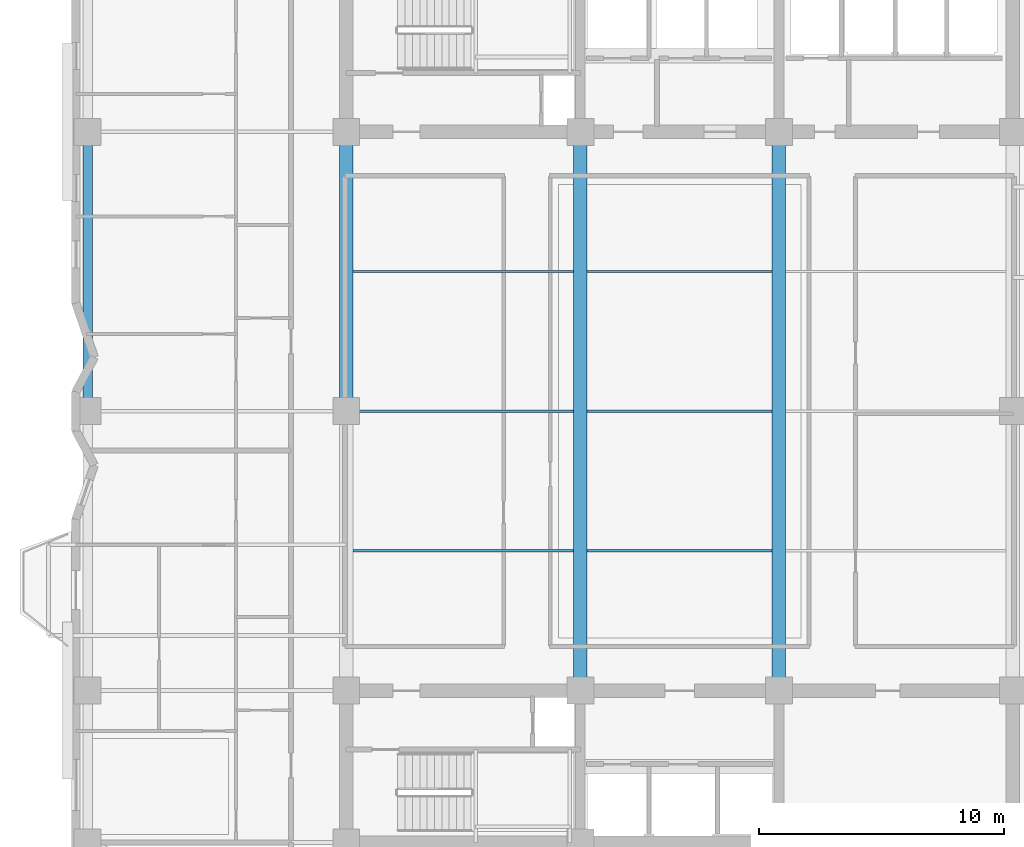
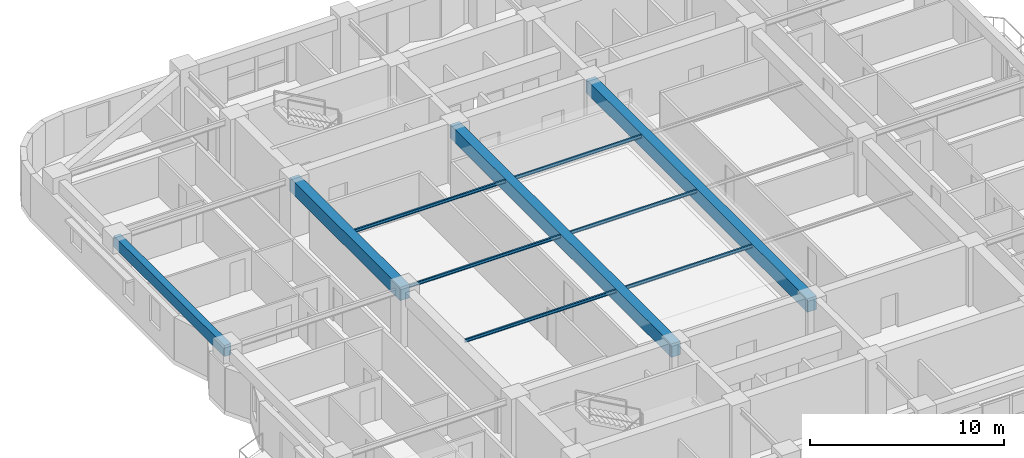
# One storey, part 3 of 15: 10 beams.
"""IFC4 building model written with IfcOpenShell, lengths in metres."""

from ifc_helpers import new_model, si_unit, direction, frame, origin, origin_2d, place, context, subcontext, project, spatial, rectangle, i_section, extrude, material, material_profile, profile_set, type_object, element, save


model = new_model("IFC4")

# Units and contexts
model_context = context("Model", 3, precision=1e-05, world=origin(), true_north=direction((0.0, 1.0)))
body_context = subcontext(model_context, "Body", "Model", "MODEL_VIEW")
ifc_project = project(units=[si_unit("LENGTHUNIT", "METRE"), si_unit("AREAUNIT", "SQUARE_METRE"), si_unit("VOLUMEUNIT", "CUBIC_METRE"), si_unit("PLANEANGLEUNIT", "RADIAN"), si_unit("MASSUNIT", "GRAM", prefix="KILO")], contexts=[model_context])

# Site, building, storey
site_placement = place(None, origin())
site = spatial("IfcSite", under=ifc_project, at=site_placement, CompositionType="ELEMENT")
building_placement = place(site_placement, origin())
building = spatial("IfcBuilding", under=site, at=building_placement, Name="Svetorya Sky Lyceum", CompositionType="ELEMENT")
storey_placement = place(building_placement, frame((0.0, 0.0, 117.89990234375)))
storey = spatial("IfcBuildingStorey", under=building, at=storey_placement, Name="L29", CompositionType="ELEMENT", Elevation=117.89990234375)

# Beams
ifc_material_1 = material(Name="Concrete C50/60", Category="concrete")
ifc_material_profile_1 = material_profile(ifc_material_1, rectangle(XDim=0.550048828125, YDim=0.85009765625, at=origin_2d()), Name="RC BEAM 550x850")
ifc_profile_set_1 = profile_set([ifc_material_profile_1], Name="Concrete C50/60")
beam_type_1 = type_object("IfcBeamType", Name="BM-RC-850", PredefinedType="BEAM", material=ifc_profile_set_1)
beam_1_placement = place(storey_placement, frame((25.60009765625, 28.199951171875, 2.9951171875), z_axis=(0.0, 1.0, 0.0), x_axis=(-1.0, 0.0, 0.0)))
element("IfcBeam", 1, at=beam_1_placement, inside=storey, type_object=beam_type_1, Name="L29 Central Bay Primary Girder CG-1B", PredefinedType="BEAM", context=body_context, shape_type="SweptSolid", body=[
    extrude(rectangle(XDim=0.550048828125, YDim=0.85009765625, at=origin_2d()), origin(), (0.0, 0.0, 1.0), 11.400146484375),
])
for number, where, z_axis, x_axis, name in (
    (2, (35.14990234375, 16.800048828125, 2.9951171875), (0.0, 1.0, 0.0), (-1.0, 0.0, 0.0), "L29 Central Bay Primary Girder CG-2"),
    (3, (43.25, 16.800048828125, 2.9951171875), (0.0, 1.0, 0.0), (-1.0, 0.0, 0.0), "L29 Central Bay Primary Girder CG-3"),
):
    element("IfcBeam", number, at=place(storey_placement, frame(where, z_axis=z_axis, x_axis=x_axis)), inside=storey, type_object=beam_type_1, Name=name, PredefinedType="BEAM", context=body_context, shape_type="SweptSolid", body=[
        extrude(rectangle(XDim=0.550048828125, YDim=0.85009765625, at=origin_2d()), origin(), (0.0, 0.0, 1.0), 22.800048828125),
    ])
ifc_material_profile_2 = material_profile(ifc_material_1, rectangle(XDim=0.39990234375, YDim=0.699951171875, at=origin_2d()), Name="RC SPANDREL 400x700")
ifc_profile_set_2 = profile_set([ifc_material_profile_2], Name="Concrete C50/60")
beam_type_2 = type_object("IfcBeamType", Name="BM-SPN-700", PredefinedType="SPANDREL", material=ifc_profile_set_2)
beam_2_placement = place(storey_placement, frame((15.050048828125, 28.199951171875, 3.070068359375), z_axis=(0.0, 1.0, 0.0), x_axis=(-1.0, 0.0, 0.0)))
element("IfcBeam", 4, at=beam_2_placement, inside=storey, type_object=beam_type_2, Name="L29 West Spandrel 3", PredefinedType="SPANDREL", context=body_context, shape_type="SweptSolid", body=[
    extrude(rectangle(XDim=0.39990234375, YDim=0.699951171875, at=origin_2d()), origin(), (0.0, 0.0, 1.0), 11.400146484375),
])
ifc_material_2 = material(Name="Steel S355", Category="steel")
ifc_material_profile_3 = material_profile(ifc_material_2, i_section(OverallWidth=0.10009765625, OverallDepth=0.199951171875, WebThickness=0.005615234375, FlangeThickness=0.008544921875, at=origin_2d()), Name="GOST 20B1")
ifc_profile_set_3 = profile_set([ifc_material_profile_3], Name="Steel S355")
beam_type_3 = type_object("IfcBeamType", Name="BM-STL-20B1", PredefinedType="JOIST", material=ifc_profile_set_3)
beam_3_placement = place(storey_placement, frame((25.875, 22.5, 3.320068359375), z_axis=(1.0, 0.0, 0.0), x_axis=(0.0, 1.0, 0.0)))
element("IfcBeam", 5, at=beam_3_placement, inside=storey, type_object=beam_type_3, Name="L29 Central Floor Joist CJ-1.1", PredefinedType="JOIST", context=body_context, shape_type="SweptSolid", body=[
    extrude(i_section(OverallWidth=0.10009765625, OverallDepth=0.199951171875, WebThickness=0.005615234375, FlangeThickness=0.008544921875, at=origin_2d()), origin(), (0.0, 0.0, 1.0), 9.0),
])
beam_4_placement = place(storey_placement, frame((35.425048828125, 22.5, 3.320068359375), z_axis=(1.0, 0.0, 0.0), x_axis=(0.0, 1.0, 0.0)))
element("IfcBeam", 6, at=beam_4_placement, inside=storey, type_object=beam_type_3, Name="L29 Central Floor Joist CJ-1.2", PredefinedType="JOIST", context=body_context, shape_type="SweptSolid", body=[
    extrude(i_section(OverallWidth=0.10009765625, OverallDepth=0.199951171875, WebThickness=0.005615234375, FlangeThickness=0.008544921875, at=origin_2d()), origin(), (0.0, 0.0, 1.0), 7.550048828125),
])
beam_5_placement = place(storey_placement, frame((25.875, 28.199951171875, 3.320068359375), z_axis=(1.0, 0.0, 0.0), x_axis=(0.0, 1.0, 0.0)))
element("IfcBeam", 7, at=beam_5_placement, inside=storey, type_object=beam_type_3, Name="L29 Central Floor Joist CJ-2.1", PredefinedType="JOIST", context=body_context, shape_type="SweptSolid", body=[
    extrude(i_section(OverallWidth=0.10009765625, OverallDepth=0.199951171875, WebThickness=0.005615234375, FlangeThickness=0.008544921875, at=origin_2d()), origin(), (0.0, 0.0, 1.0), 9.0),
])
beam_6_placement = place(storey_placement, frame((35.425048828125, 28.199951171875, 3.320068359375), z_axis=(1.0, 0.0, 0.0), x_axis=(0.0, 1.0, 0.0)))
element("IfcBeam", 8, at=beam_6_placement, inside=storey, type_object=beam_type_3, Name="L29 Central Floor Joist CJ-2.2", PredefinedType="JOIST", context=body_context, shape_type="SweptSolid", body=[
    extrude(i_section(OverallWidth=0.10009765625, OverallDepth=0.199951171875, WebThickness=0.005615234375, FlangeThickness=0.008544921875, at=origin_2d()), origin(), (0.0, 0.0, 1.0), 7.550048828125),
])
beam_7_placement = place(storey_placement, frame((25.875, 33.89990234375, 3.320068359375), z_axis=(1.0, 0.0, 0.0), x_axis=(0.0, 1.0, 0.0)))
element("IfcBeam", 9, at=beam_7_placement, inside=storey, type_object=beam_type_3, Name="L29 Central Floor Joist CJ-3.1", PredefinedType="JOIST", context=body_context, shape_type="SweptSolid", body=[
    extrude(i_section(OverallWidth=0.10009765625, OverallDepth=0.199951171875, WebThickness=0.005615234375, FlangeThickness=0.008544921875, at=origin_2d()), origin(), (0.0, 0.0, 1.0), 9.0),
])
beam_8_placement = place(storey_placement, frame((35.425048828125, 33.89990234375, 3.320068359375), z_axis=(1.0, 0.0, 0.0), x_axis=(0.0, 1.0, 0.0)))
element("IfcBeam", 10, at=beam_8_placement, inside=storey, type_object=beam_type_3, Name="L29 Central Floor Joist CJ-3.2", PredefinedType="JOIST", context=body_context, shape_type="SweptSolid", body=[
    extrude(i_section(OverallWidth=0.10009765625, OverallDepth=0.199951171875, WebThickness=0.005615234375, FlangeThickness=0.008544921875, at=origin_2d()), origin(), (0.0, 0.0, 1.0), 7.550048828125),
])

save(model, "model.ifc")
